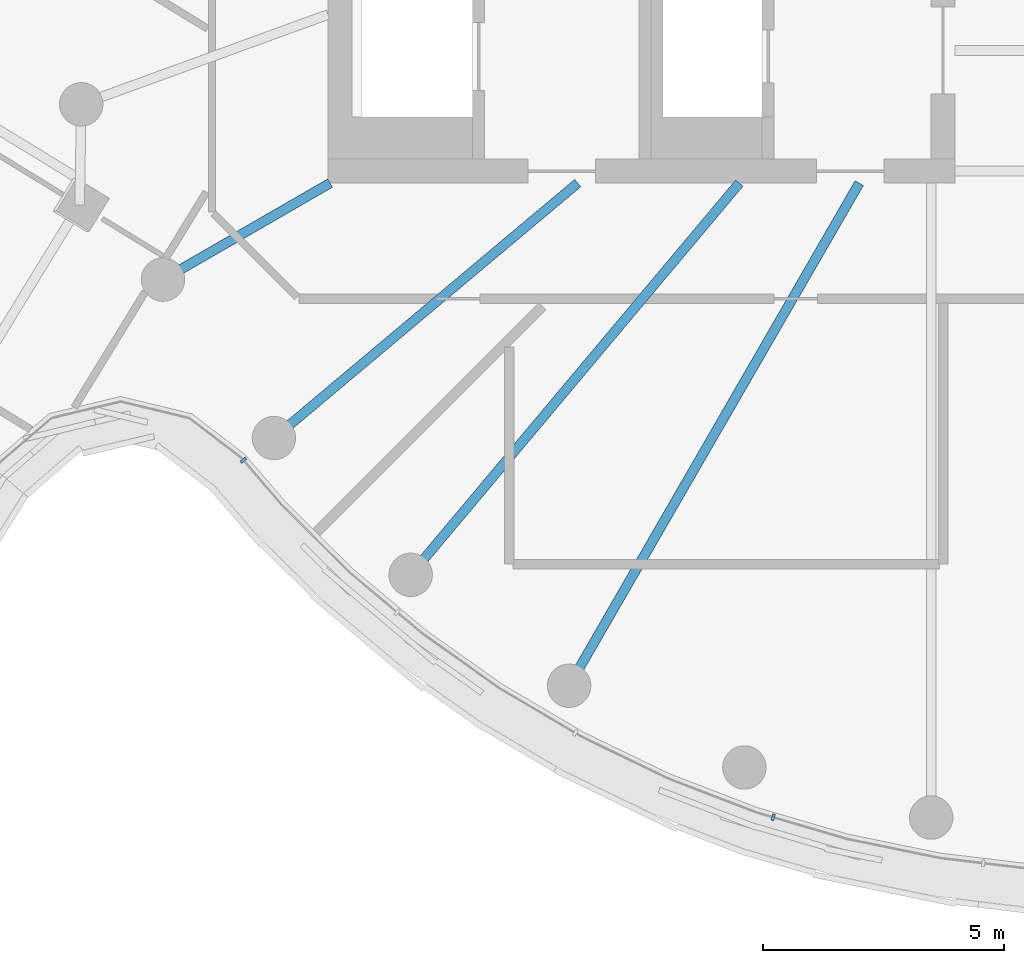
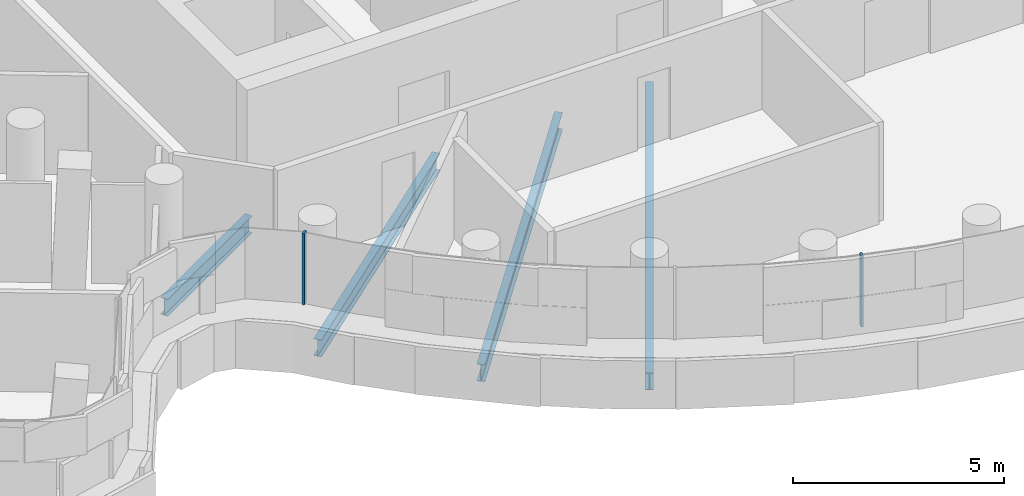
# One storey, part 3 of 27: 4 beams, 2 members, 1 element without a shape of its own.
"""IFC4 building model written with IfcOpenShell, lengths in metres."""

from ifc_helpers import new_model, si_unit, direction, frame, origin, origin_2d, place, context, subcontext, project, spatial, rectangle, i_section, extrude, material, layer, layer_set, material_profile, profile_set, type_object, element, aggregate, save


model = new_model("IFC4")

# Units and contexts
model_context = context("Model", 3, precision=1e-05, world=origin(), true_north=direction((0.0, 1.0)))
body_context = subcontext(model_context, "Body", "Model", "MODEL_VIEW")
ifc_project = project(units=[si_unit("LENGTHUNIT", "METRE"), si_unit("AREAUNIT", "SQUARE_METRE"), si_unit("VOLUMEUNIT", "CUBIC_METRE"), si_unit("PLANEANGLEUNIT", "RADIAN"), si_unit("MASSUNIT", "GRAM", prefix="KILO")], contexts=[model_context])

# Site, building, storey
site_placement = place(None, origin())
site = spatial("IfcSite", under=ifc_project, at=site_placement, CompositionType="ELEMENT")
building_placement = place(site_placement, origin())
building = spatial("IfcBuilding", under=site, at=building_placement, Name="Tamarind Cross Interchange Tower", CompositionType="ELEMENT")
storey_placement = place(building_placement, frame((0.0, 0.0, 245.10009765625)))
storey = spatial("IfcBuildingStorey", under=building, at=storey_placement, Name="L62", CompositionType="ELEMENT", Elevation=245.10009765625)

# Beams
ifc_material_1 = material(Name="Steel Q355B", Category="steel")
ifc_material_profile_1 = material_profile(ifc_material_1, i_section(OverallWidth=0.198974609375, OverallDepth=0.49609375, WebThickness=0.009033203125, FlangeThickness=0.013916015625, FilletRadius=0.012939453125, at=origin_2d()), Name="HN 496x199x9x14")
ifc_profile_set_1 = profile_set([ifc_material_profile_1], Name="Steel Q355B")
beam_type = type_object("IfcBeamType", Name="Composite beam HN 496x199x9x14 Q355B", PredefinedType="BEAM", material=ifc_profile_set_1)
beam_1_placement = place(storey_placement, frame((-19.918701171875, -11.5, -0.38818359375), z_axis=(0.866026010844, 0.49999894854, 0.0), x_axis=(-0.49999894854, 0.866026010844, 0.0)))
element("IfcBeam", 1, at=beam_1_placement, inside=storey, type_object=beam_type, Name="Beam HH21", PredefinedType="BEAM", context=body_context, shape_type="SweptSolid", body=[
    extrude(i_section(OverallWidth=0.198974609375, OverallDepth=0.49609375, WebThickness=0.009033203125, FlangeThickness=0.013916015625, FilletRadius=0.012939453125, at=origin_2d()), origin(), (0.0, 0.0, 1.0), 4.0),
])
beam_2_placement = place(storey_placement, frame((-17.619140625, -14.7841796875, -0.38818359375), z_axis=(0.766040580814, 0.642792212574, 0.0), x_axis=(-0.642792212574, 0.766040580814, 0.0)))
element("IfcBeam", 2, at=beam_2_placement, inside=storey, type_object=beam_type, Name="Beam HH22", PredefinedType="BEAM", context=body_context, shape_type="SweptSolid", body=[
    extrude(i_section(OverallWidth=0.198974609375, OverallDepth=0.49609375, WebThickness=0.009033203125, FlangeThickness=0.013916015625, FilletRadius=0.012939453125, at=origin_2d()), origin(), (0.0, 0.0, 1.0), 8.220703125),
])
beam_3_placement = place(storey_placement, frame((-14.7841796875, -17.619140625, -0.38818359375), z_axis=(0.642786293979, 0.766045547127, 0.0), x_axis=(-0.766045547127, 0.642786293979, 0.0)))
element("IfcBeam", 3, at=beam_3_placement, inside=storey, type_object=beam_type, Name="Beam HH23", PredefinedType="BEAM", context=body_context, shape_type="SweptSolid", body=[
    extrude(i_section(OverallWidth=0.198974609375, OverallDepth=0.49609375, WebThickness=0.009033203125, FlangeThickness=0.013916015625, FilletRadius=0.012939453125, at=origin_2d()), origin(), (0.0, 0.0, 1.0), 10.598876953125),
])
beam_4_placement = place(storey_placement, frame((-11.5, -19.918701171875, -0.38818359375), z_axis=(0.499993565836, 0.866029118519, 0.0), x_axis=(-0.866029118519, 0.499993565836, 0.0)))
element("IfcBeam", 4, at=beam_4_placement, inside=storey, type_object=beam_type, Name="Beam HH24", PredefinedType="BEAM", context=body_context, shape_type="SweptSolid", body=[
    extrude(i_section(OverallWidth=0.198974609375, OverallDepth=0.49609375, WebThickness=0.009033203125, FlangeThickness=0.013916015625, FilletRadius=0.012939453125, at=origin_2d()), origin(), (0.0, 0.0, 1.0), 12.030517578125),
])

# Curtain wall, members
ifc_material_2 = material(Name="Aluminium 6063-T6", Category="aluminium")
ifc_layer = layer(ifc_material_2, 0.139892578125)
ifc_layer_set = layer_set([ifc_layer], Name="Aluminium 6063-T6")
curtain_wall_type = type_object("IfcCurtainWallType", Name="Hotel curtain wall, 4.5 m bays", PredefinedType="NOTDEFINED", material=ifc_layer_set)
curtain_wall_placement = place(storey_placement, origin())
curtain_wall = element("IfcCurtainWall", 5, at=curtain_wall_placement, inside=storey, type_object=curtain_wall_type, Name="CWS-L62-06", PredefinedType="NOTDEFINED")
ifc_material_profile_2 = material_profile(ifc_material_2, rectangle(XDim=0.06005859375, YDim=0.139892578125, at=origin_2d()), Name="Mullion CW2")
ifc_profile_set_2 = profile_set([ifc_material_profile_2], Name="Aluminium 6063-T6")
member_type = type_object("IfcMemberType", Name="Mullion CW2", PredefinedType="MULLION", material=ifc_profile_set_2)
member_1_placement = place(storey_placement, frame((-18.25048828125, -15.24462890625, 1.39990234375), z_axis=(0.0, 0.0, 1.0), x_axis=(0.651272542534, -0.758843907099, 0.0)))
member_1 = element("IfcMember", 6, at=member_1_placement, type_object=member_type, Name="CWM-L62-06-01", PredefinedType="MULLION", context=body_context, shape_type="SweptSolid", body=[
    extrude(rectangle(XDim=0.06005859375, YDim=0.139892578125, at=origin_2d()), origin(), (0.0, 0.0, 1.0), 2.06005859375),
])
member_2_placement = place(storey_placement, frame((-7.269287109375, -22.64501953125, 1.39990234375), z_axis=(0.0, 0.0, 1.0), x_axis=(0.95964657186, -0.281208920763, 0.0)))
member_2 = element("IfcMember", 7, at=member_2_placement, type_object=member_type, Name="CWM-L62-06-04", PredefinedType="MULLION", context=body_context, shape_type="SweptSolid", body=[
    extrude(rectangle(XDim=0.06005859375, YDim=0.139892578125, at=origin_2d()), origin(), (0.0, 0.0, 1.0), 2.06005859375),
])
aggregate(curtain_wall, [member_1, member_2])

save(model, "model.ifc")
